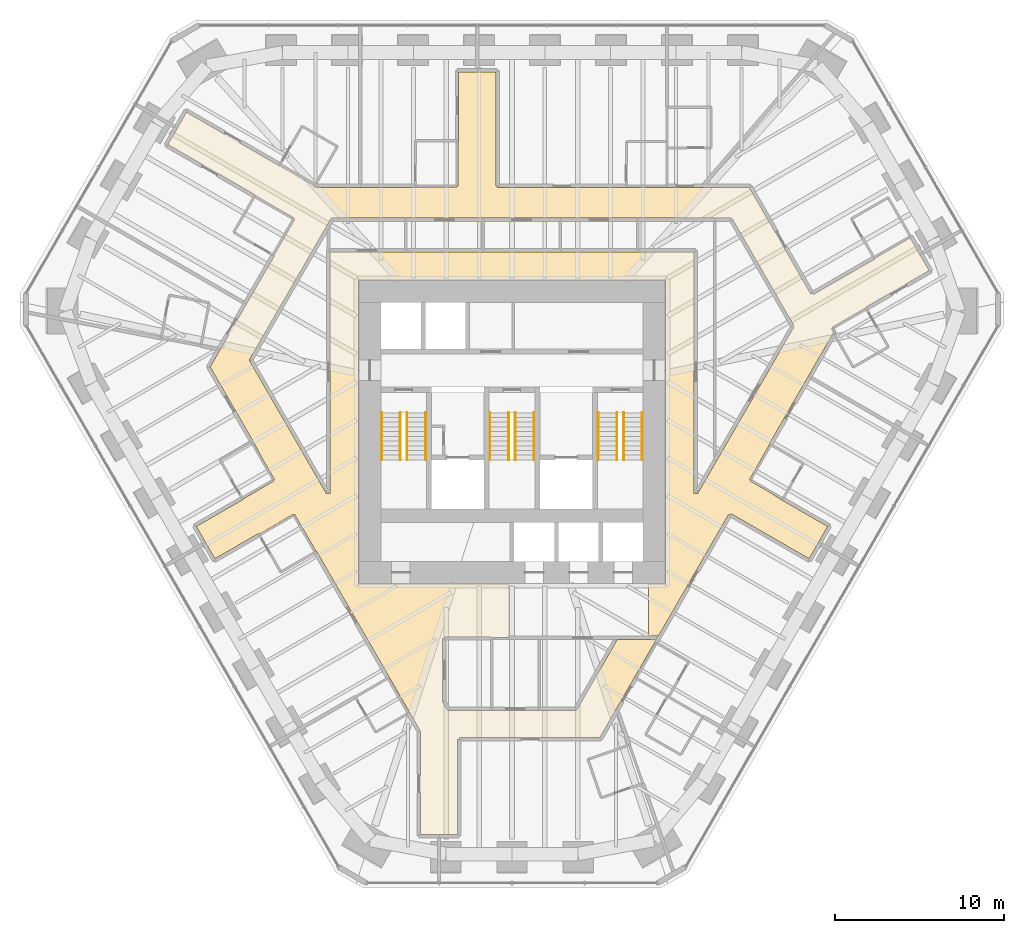
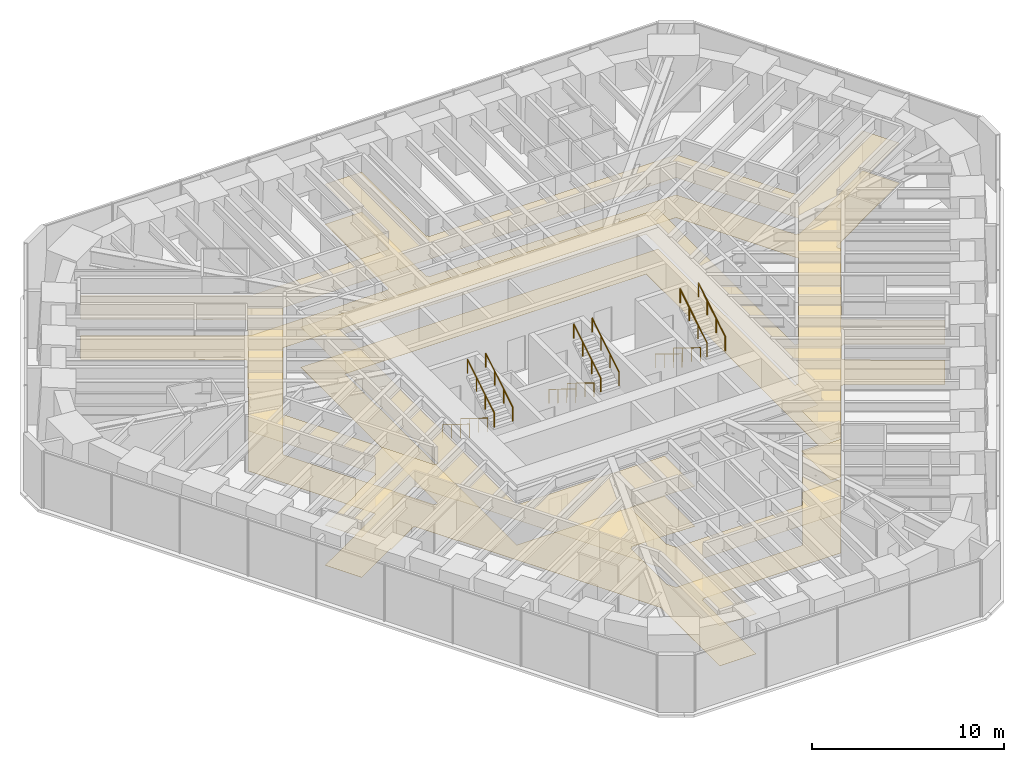
# One storey, part 18 of 18: 12 railings, 2 coverings.
"""IFC4 building model written with IfcOpenShell, lengths in metres."""

from ifc_helpers import new_model, si_unit, direction, frame, origin, origin_2d, place, context, subcontext, project, spatial, polyline, circle, outline, extrude, material, layer, layer_set, type_object, element, save


model = new_model("IFC4")

# Units and contexts
model_context = context("Model", 3, precision=1e-05, world=origin(), true_north=direction((0.0, 1.0)))
body_context = subcontext(model_context, "Body", "Model", "MODEL_VIEW")
ifc_project = project(units=[si_unit("LENGTHUNIT", "METRE"), si_unit("AREAUNIT", "SQUARE_METRE"), si_unit("VOLUMEUNIT", "CUBIC_METRE"), si_unit("PLANEANGLEUNIT", "RADIAN"), si_unit("MASSUNIT", "GRAM", prefix="KILO")], contexts=[model_context])

# Site, building, storey
site_placement = place(None, origin())
site = spatial("IfcSite", under=ifc_project, at=site_placement, CompositionType="ELEMENT")
building_placement = place(site_placement, origin())
building = spatial("IfcBuilding", under=site, at=building_placement, Name="Sandreach Pilgrim Tower", CompositionType="ELEMENT")
storey_placement = place(building_placement, frame((0.0, 0.0, 153.800048828125)))
storey = spatial("IfcBuildingStorey", under=building, at=storey_placement, Name="L38", CompositionType="ELEMENT", Elevation=153.800048828125)

# Coverings
ifc_material_1 = material(Name="Nylon carpet tile on the slab", Category="textile")
ifc_layer_1 = layer(ifc_material_1, 0.008056640625)
ifc_layer_set_1 = layer_set([ifc_layer_1], Name="Carpet tile")
covering_type_1 = type_object("IfcCoveringType", Name="Carpet tile", PredefinedType="FLOORING", material=ifc_layer_set_1)
covering_1_placement = place(storey_placement, origin())
element("IfcCovering", 1, at=covering_1_placement, inside=storey, type_object=covering_type_1, Name="Floor finish 38C Corridor 38", PredefinedType="FLOORING", context=body_context, shape_type="SweptSolid", body=[
    extrude(outline(polyline([(-20.33349609375, 15.4365234375), (-19.2333984375, 17.343505859375), (-11.516845703125, 12.889892578125), (-5.699951171875, 12.889892578125), (-5.699951171875, 12.918212890625), (-3.25, 12.929931640625), (-3.2490234375, 12.989990234375), (-3.18994140625, 12.989990234375), (-3.18994140625, 15.659912109375), (-3.14990234375, 15.659912109375), (-3.14990234375, 19.719970703125), (-0.949951171875, 19.719970703125), (-0.949951171875, 13.0), (-0.853515625, 13.0), (-0.85009765625, 12.889892578125), (14.022216796875, 12.889892578125), (17.6533203125, 6.60986328125), (17.75048828125, 6.662109375), (17.798583984375, 6.578369140625), (21.429931640625, 8.67333984375), (21.4169921875, 8.695556640625), (23.5234375, 9.927978515625), (24.6435546875, 7.986572265625), (20.889892578125, 5.816650390625), (20.9013671875, 5.797119140625), (18.91015625, 4.632080078125), (18.9296875, 4.573974609375), (18.887939453125, 4.55029296875), (19.0087890625, 4.3388671875), (15.203369140625, -2.25), (15.23046875, -2.265625), (14.0380859375, -4.35009765625), (14.088623046875, -4.38232421875), (14.06005859375, -4.431884765625), (15.19091796875, -5.085693359375), (15.960205078125, -5.57666015625), (18.6533203125, -7.126708984375), (17.55322265625, -9.033447265625), (12.94873046875, -6.37841796875), (12.900146484375, -6.46240234375), (12.803466796875, -6.409912109375), (8.6513671875, -13.60009765625), (8.050048828125, -13.60009765625), (8.050048828125, -10.52001953125), (9.070068359375, -10.52001953125), (9.070068359375, 7.419921875), (-9.070068359375, 7.419921875), (-9.070068359375, -10.52001953125), (-0.175048828125, -10.52001953125), (-0.175048828125, -13.68994140625), (-1.199951171875, -13.67919921875), (-1.199951171875, -13.64990234375), (-3.989990234375, -13.64990234375), (-3.989990234375, -13.75), (-4.10009765625, -13.75), (-4.10009765625, -17.487060546875), (-3.8076171875, -17.989990234375), (3.8076171875, -17.989990234375), (6.2265625, -13.800048828125), (8.535888671875, -13.800048828125), (5.192138671875, -19.590087890625), (-3.110107421875, -19.590087890625), (-3.110107421875, -19.705078125), (-3.2099609375, -19.705078125), (-3.2099609375, -25.330078125), (-5.409912109375, -25.330078125), (-5.409912109375, -19.223388671875), (-11.54345703125, -8.599853515625), (-11.5693359375, -8.614990234375), (-12.837890625, -6.43017578125), (-12.890625, -6.458984375), (-12.919921875, -6.407958984375), (-14.942138671875, -7.591796875), (-14.969970703125, -7.54345703125), (-17.553466796875, -9.033447265625), (-18.6533203125, -7.126708984375), (-15.89892578125, -5.53857421875), (-15.910888671875, -5.517822265625), (-14.06005859375, -4.431884765625), (-14.088134765625, -4.37890625), (-14.0380859375, -4.35009765625), (-14.806396484375, -3.02001953125), (-15.303466796875, -2.080078125), (-17.83447265625, 2.300048828125), (-14.04345703125, 8.85986328125), (-14.070068359375, 8.875244140625), (-12.84814453125, 11.010009765625), (-12.89892578125, 11.041748046875), (-12.8701171875, 11.092041015625), (-14.243408203125, 11.879150390625), (-15.169921875, 12.45654296875), (-20.33349609375, 15.4365234375)]), holes=[polyline([(-15.525390625, 2.699951171875), (-10.965576171875, -5.18994140625), (-10.75, -5.18994140625), (-10.75, 9.10009765625), (10.75, 9.10009765625), (10.75, -5.18994140625), (10.96533203125, -5.18994140625), (16.675537109375, 4.699951171875), (12.98779296875, 11.090087890625), (-10.677734375, 11.090087890625), (-15.525390625, 2.699951171875)])]), origin(), (0.0, 0.0, 1.0), 0.008056640625),
])
ifc_material_2 = material(Name="Gypsum board suspended ceiling on a steel grid", Category="steel")
ifc_layer_2 = layer(ifc_material_2, 0.012939453125)
ifc_layer_set_2 = layer_set([ifc_layer_2], Name="Gypsum board suspended ceiling")
covering_type_2 = type_object("IfcCoveringType", Name="Gypsum board suspended ceiling", PredefinedType="CEILING", material=ifc_layer_set_2)
covering_2_placement = place(storey_placement, frame((0.0, 0.0, 2.550048828125)))
element("IfcCovering", 2, at=covering_2_placement, inside=storey, type_object=covering_type_2, Name="Ceiling 38C Corridor 38", PredefinedType="CEILING", context=body_context, shape_type="SweptSolid", body=[
    extrude(outline(polyline([(-20.33349609375, 15.4365234375), (-19.2333984375, 17.343505859375), (-11.516845703125, 12.889892578125), (-5.699951171875, 12.889892578125), (-5.699951171875, 12.918212890625), (-3.25, 12.929931640625), (-3.2490234375, 12.989990234375), (-3.18994140625, 12.989990234375), (-3.18994140625, 15.659912109375), (-3.14990234375, 15.659912109375), (-3.14990234375, 19.719970703125), (-0.949951171875, 19.719970703125), (-0.949951171875, 13.0), (-0.853515625, 13.0), (-0.85009765625, 12.889892578125), (14.022216796875, 12.889892578125), (17.6533203125, 6.60986328125), (17.75048828125, 6.662109375), (17.798583984375, 6.578369140625), (21.429931640625, 8.67333984375), (21.4169921875, 8.695556640625), (23.5234375, 9.927978515625), (24.6435546875, 7.986572265625), (20.889892578125, 5.816650390625), (20.9013671875, 5.797119140625), (18.91015625, 4.632080078125), (18.9296875, 4.573974609375), (18.887939453125, 4.55029296875), (19.0087890625, 4.3388671875), (15.203369140625, -2.25), (15.23046875, -2.265625), (14.0380859375, -4.35009765625), (14.088623046875, -4.38232421875), (14.06005859375, -4.431884765625), (15.19091796875, -5.085693359375), (15.960205078125, -5.57666015625), (18.6533203125, -7.126708984375), (17.55322265625, -9.033447265625), (12.94873046875, -6.37841796875), (12.900146484375, -6.46240234375), (12.803466796875, -6.409912109375), (8.6513671875, -13.60009765625), (8.050048828125, -13.60009765625), (8.050048828125, -10.52001953125), (9.070068359375, -10.52001953125), (9.070068359375, 7.419921875), (-9.070068359375, 7.419921875), (-9.070068359375, -10.52001953125), (-0.175048828125, -10.52001953125), (-0.175048828125, -13.68994140625), (-1.199951171875, -13.67919921875), (-1.199951171875, -13.64990234375), (-3.989990234375, -13.64990234375), (-3.989990234375, -13.75), (-4.10009765625, -13.75), (-4.10009765625, -17.487060546875), (-3.8076171875, -17.989990234375), (3.8076171875, -17.989990234375), (6.2265625, -13.800048828125), (8.535888671875, -13.800048828125), (5.192138671875, -19.590087890625), (-3.110107421875, -19.590087890625), (-3.110107421875, -19.705078125), (-3.2099609375, -19.705078125), (-3.2099609375, -25.330078125), (-5.409912109375, -25.330078125), (-5.409912109375, -19.223388671875), (-11.54345703125, -8.599853515625), (-11.5693359375, -8.614990234375), (-12.837890625, -6.43017578125), (-12.890625, -6.458984375), (-12.919921875, -6.407958984375), (-14.942138671875, -7.591796875), (-14.969970703125, -7.54345703125), (-17.553466796875, -9.033447265625), (-18.6533203125, -7.126708984375), (-15.89892578125, -5.53857421875), (-15.910888671875, -5.517822265625), (-14.06005859375, -4.431884765625), (-14.088134765625, -4.37890625), (-14.0380859375, -4.35009765625), (-14.806396484375, -3.02001953125), (-15.303466796875, -2.080078125), (-17.83447265625, 2.300048828125), (-14.04345703125, 8.85986328125), (-14.070068359375, 8.875244140625), (-12.84814453125, 11.010009765625), (-12.89892578125, 11.041748046875), (-12.8701171875, 11.092041015625), (-14.243408203125, 11.879150390625), (-15.169921875, 12.45654296875), (-20.33349609375, 15.4365234375)]), holes=[polyline([(-15.525390625, 2.699951171875), (-10.965576171875, -5.18994140625), (-10.75, -5.18994140625), (-10.75, 9.10009765625), (10.75, 9.10009765625), (10.75, -5.18994140625), (10.96533203125, -5.18994140625), (16.675537109375, 4.699951171875), (12.98779296875, 11.090087890625), (-10.677734375, 11.090087890625), (-15.525390625, 2.699951171875)])]), origin(), (0.0, 0.0, 1.0), 0.012939453125),
])

# Railings
ifc_material_3 = material(Name="Stainless steel tube", Category="steel")
railing_type = type_object("IfcRailingType", Name="Stair handrail", PredefinedType="HANDRAIL", material=ifc_material_3)
for number, where, name in (
    (3, (-6.60009765625, -0.39990234375, 0.172607421875), "Handrail ST1 L38 flight 1"),
    (4, (-7.699951171875, -0.39990234375, 0.172607421875), "Handrail ST1 L38 flight 1"),
):
    element("IfcRailing", number, at=place(storey_placement, frame(where)), inside=storey, type_object=railing_type, Name=name, PredefinedType="HANDRAIL", context=body_context, shape_type="SweptSolid", body=[
        extrude(circle(Radius=0.02392578125, at=origin_2d()), frame((0.0, 0.0, 0.8759765625), z_axis=(0.0, -0.851089632645, 0.525020415988), x_axis=(1.0, 0.0, 0.0)), (0.0, 0.0, 1.0), 3.2900390625),
        extrude(circle(Radius=0.02099609375, at=origin_2d()), origin(), (0.0, 0.0, 1.0), 0.851806640625),
        extrude(circle(Radius=0.02099609375, at=origin_2d()), frame((0.0, -0.933349609375, 0.57568359375)), (0.0, 0.0, 1.0), 0.851806640625),
        extrude(circle(Radius=0.02099609375, at=origin_2d()), frame((0.0, -1.86669921875, 1.151611328125)), (0.0, 0.0, 1.0), 0.851806640625),
        extrude(circle(Radius=0.02099609375, at=origin_2d()), frame((0.0, -2.800048828125, 1.727294921875)), (0.0, 0.0, 1.0), 0.851806640625),
    ])
for number, where, name in (
    (5, (-6.199951171875, -3.199951171875, 2.07275390625), "Handrail ST1 L38 flight 2"),
    (6, (-5.10009765625, -3.199951171875, 2.07275390625), "Handrail ST1 L38 flight 2"),
):
    element("IfcRailing", number, at=place(storey_placement, frame(where)), inside=storey, type_object=railing_type, Name=name, PredefinedType="HANDRAIL", context=body_context, shape_type="SweptSolid", body=[
        extrude(circle(Radius=0.02392578125, at=origin_2d()), frame((0.0, 0.0, 0.8759765625), z_axis=(0.0, 0.851089632645, 0.525020415988), x_axis=(-1.0, 0.0, 0.0)), (0.0, 0.0, 1.0), 3.2900390625),
        extrude(circle(Radius=0.02099609375, at=origin_2d()), origin(), (0.0, 0.0, 1.0), 0.851806640625),
        extrude(circle(Radius=0.02099609375, at=origin_2d()), frame((0.0, 0.933349609375, 0.57568359375)), (0.0, 0.0, 1.0), 0.851806640625),
        extrude(circle(Radius=0.02099609375, at=origin_2d()), frame((0.0, 1.86669921875, 1.151611328125)), (0.0, 0.0, 1.0), 0.851806640625),
        extrude(circle(Radius=0.02099609375, at=origin_2d()), frame((0.0, 2.800048828125, 1.727294921875)), (0.0, 0.0, 1.0), 0.851806640625),
    ])
for number, where, name in (
    (7, (-0.199951171875, -0.39990234375, 0.172607421875), "Handrail ST3 L38 flight 1"),
    (8, (-1.300048828125, -0.39990234375, 0.172607421875), "Handrail ST3 L38 flight 1"),
):
    element("IfcRailing", number, at=place(storey_placement, frame(where)), inside=storey, type_object=railing_type, Name=name, PredefinedType="HANDRAIL", context=body_context, shape_type="SweptSolid", body=[
        extrude(circle(Radius=0.02392578125, at=origin_2d()), frame((0.0, 0.0, 0.8759765625), z_axis=(0.0, -0.851089632645, 0.525020415988), x_axis=(1.0, 0.0, 0.0)), (0.0, 0.0, 1.0), 3.2900390625),
        extrude(circle(Radius=0.02099609375, at=origin_2d()), origin(), (0.0, 0.0, 1.0), 0.851806640625),
        extrude(circle(Radius=0.02099609375, at=origin_2d()), frame((0.0, -0.933349609375, 0.57568359375)), (0.0, 0.0, 1.0), 0.851806640625),
        extrude(circle(Radius=0.02099609375, at=origin_2d()), frame((0.0, -1.86669921875, 1.151611328125)), (0.0, 0.0, 1.0), 0.851806640625),
        extrude(circle(Radius=0.02099609375, at=origin_2d()), frame((0.0, -2.800048828125, 1.727294921875)), (0.0, 0.0, 1.0), 0.851806640625),
    ])
for number, where, name in (
    (9, (0.199951171875, -3.199951171875, 2.07275390625), "Handrail ST3 L38 flight 2"),
    (10, (1.300048828125, -3.199951171875, 2.07275390625), "Handrail ST3 L38 flight 2"),
):
    element("IfcRailing", number, at=place(storey_placement, frame(where)), inside=storey, type_object=railing_type, Name=name, PredefinedType="HANDRAIL", context=body_context, shape_type="SweptSolid", body=[
        extrude(circle(Radius=0.02392578125, at=origin_2d()), frame((0.0, 0.0, 0.8759765625), z_axis=(0.0, 0.851089632645, 0.525020415988), x_axis=(-1.0, 0.0, 0.0)), (0.0, 0.0, 1.0), 3.2900390625),
        extrude(circle(Radius=0.02099609375, at=origin_2d()), origin(), (0.0, 0.0, 1.0), 0.851806640625),
        extrude(circle(Radius=0.02099609375, at=origin_2d()), frame((0.0, 0.933349609375, 0.57568359375)), (0.0, 0.0, 1.0), 0.851806640625),
        extrude(circle(Radius=0.02099609375, at=origin_2d()), frame((0.0, 1.86669921875, 1.151611328125)), (0.0, 0.0, 1.0), 0.851806640625),
        extrude(circle(Radius=0.02099609375, at=origin_2d()), frame((0.0, 2.800048828125, 1.727294921875)), (0.0, 0.0, 1.0), 0.851806640625),
    ])
for number, where, name in (
    (11, (6.199951171875, -0.39990234375, 0.172607421875), "Handrail ST2 L38 flight 1"),
    (12, (5.10009765625, -0.39990234375, 0.172607421875), "Handrail ST2 L38 flight 1"),
):
    element("IfcRailing", number, at=place(storey_placement, frame(where)), inside=storey, type_object=railing_type, Name=name, PredefinedType="HANDRAIL", context=body_context, shape_type="SweptSolid", body=[
        extrude(circle(Radius=0.02392578125, at=origin_2d()), frame((0.0, 0.0, 0.8759765625), z_axis=(0.0, -0.851089632645, 0.525020415988), x_axis=(1.0, 0.0, 0.0)), (0.0, 0.0, 1.0), 3.2900390625),
        extrude(circle(Radius=0.02099609375, at=origin_2d()), origin(), (0.0, 0.0, 1.0), 0.851806640625),
        extrude(circle(Radius=0.02099609375, at=origin_2d()), frame((0.0, -0.933349609375, 0.57568359375)), (0.0, 0.0, 1.0), 0.851806640625),
        extrude(circle(Radius=0.02099609375, at=origin_2d()), frame((0.0, -1.86669921875, 1.151611328125)), (0.0, 0.0, 1.0), 0.851806640625),
        extrude(circle(Radius=0.02099609375, at=origin_2d()), frame((0.0, -2.800048828125, 1.727294921875)), (0.0, 0.0, 1.0), 0.851806640625),
    ])
for number, where, name in (
    (13, (6.60009765625, -3.199951171875, 2.07275390625), "Handrail ST2 L38 flight 2"),
    (14, (7.699951171875, -3.199951171875, 2.07275390625), "Handrail ST2 L38 flight 2"),
):
    element("IfcRailing", number, at=place(storey_placement, frame(where)), inside=storey, type_object=railing_type, Name=name, PredefinedType="HANDRAIL", context=body_context, shape_type="SweptSolid", body=[
        extrude(circle(Radius=0.02392578125, at=origin_2d()), frame((0.0, 0.0, 0.8759765625), z_axis=(0.0, 0.851089632645, 0.525020415988), x_axis=(-1.0, 0.0, 0.0)), (0.0, 0.0, 1.0), 3.2900390625),
        extrude(circle(Radius=0.02099609375, at=origin_2d()), origin(), (0.0, 0.0, 1.0), 0.851806640625),
        extrude(circle(Radius=0.02099609375, at=origin_2d()), frame((0.0, 0.933349609375, 0.57568359375)), (0.0, 0.0, 1.0), 0.851806640625),
        extrude(circle(Radius=0.02099609375, at=origin_2d()), frame((0.0, 1.86669921875, 1.151611328125)), (0.0, 0.0, 1.0), 0.851806640625),
        extrude(circle(Radius=0.02099609375, at=origin_2d()), frame((0.0, 2.800048828125, 1.727294921875)), (0.0, 0.0, 1.0), 0.851806640625),
    ])

save(model, "model.ifc")
